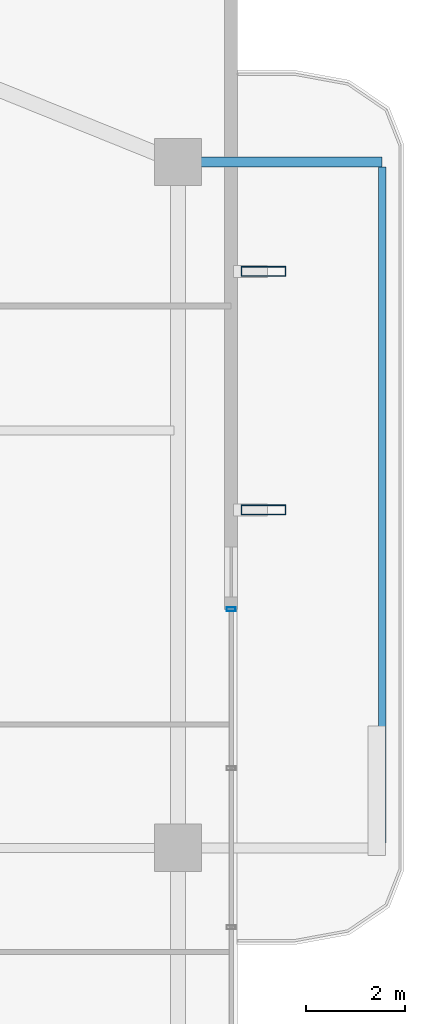
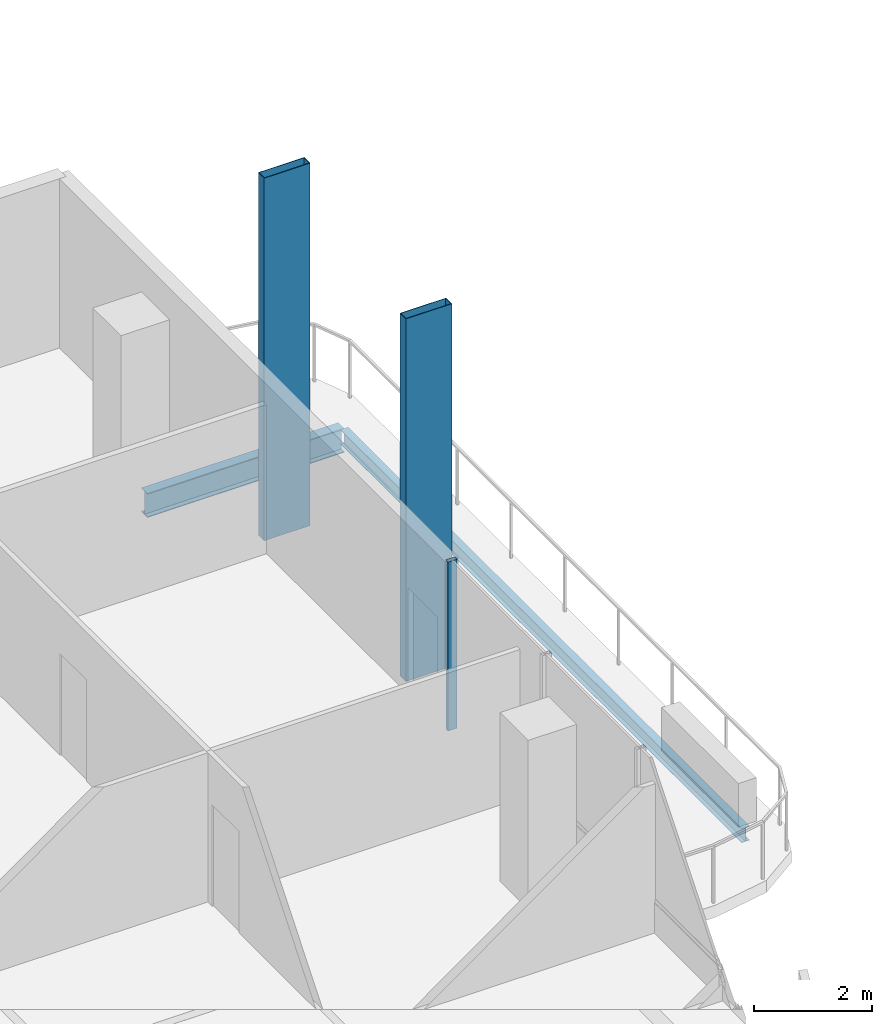
# One storey, part 15 of 25: 3 members, 2 beams, 1 element without a shape of its own.
"""IFC4 building model written with IfcOpenShell, lengths in metres."""

from ifc_helpers import new_model, si_unit, direction, frame, origin, origin_2d, place, context, subcontext, project, spatial, hollow_rectangle, i_section, extrude, material, layer, layer_set, material_profile, profile_set, type_object, element, aggregate, save


model = new_model("IFC4")

# Units and contexts
model_context = context("Model", 3, precision=1e-05, world=origin(), true_north=direction((0.0, 1.0)))
body_context = subcontext(model_context, "Body", "Model", "MODEL_VIEW")
ifc_project = project(units=[si_unit("LENGTHUNIT", "METRE"), si_unit("AREAUNIT", "SQUARE_METRE"), si_unit("VOLUMEUNIT", "CUBIC_METRE"), si_unit("PLANEANGLEUNIT", "RADIAN"), si_unit("MASSUNIT", "GRAM", prefix="KILO")], contexts=[model_context])

# Site, building, storey
site_placement = place(None, origin())
site = spatial("IfcSite", under=ifc_project, at=site_placement, CompositionType="ELEMENT")
building_placement = place(site_placement, origin())
building = spatial("IfcBuilding", under=site, at=building_placement, Name="Belovzor Exchange Tower", CompositionType="ELEMENT")
storey_placement = place(building_placement, frame((0.0, 0.0, 250.35009765625)))
storey = spatial("IfcBuildingStorey", under=building, at=storey_placement, Name="L62", CompositionType="ELEMENT", Elevation=250.35009765625)

# Beams
ifc_material_1 = material(Name="Steel S355", Category="steel")
ifc_material_profile_1 = material_profile(ifc_material_1, i_section(OverallWidth=0.199951171875, OverallDepth=0.5, WebThickness=0.01025390625, FlangeThickness=0.01611328125, at=origin_2d()))
ifc_profile_set_1 = profile_set([ifc_material_profile_1], Name="Steel S355")
beam_type_1 = type_object("IfcBeamType", Name="Planted Balcony Cantilever Beam IPE 500", PredefinedType="BEAM", material=ifc_profile_set_1)
beam_1_placement = place(storey_placement, frame((52.760986328125, 42.60009765625, -0.5), z_axis=(1.0, 0.0, 0.0), x_axis=(0.0, 1.0, 0.0)))
element("IfcBeam", 1, at=beam_1_placement, inside=storey, type_object=beam_type_1, Name="BC-500 Planted Balcony Cantilever Beam IPE 500", PredefinedType="BEAM", context=body_context, shape_type="SweptSolid", body=[
    extrude(i_section(OverallWidth=0.199951171875, OverallDepth=0.5, WebThickness=0.01025390625, FlangeThickness=0.01611328125, at=origin_2d()), origin(), (0.0, 0.0, 1.0), 3.85009765625),
])
ifc_material_2 = material(Name="Steel S355", Category="steel")
ifc_material_profile_2 = material_profile(ifc_material_2, i_section(OverallWidth=0.14990234375, OverallDepth=0.300048828125, WebThickness=0.007080078125, FlangeThickness=0.0107421875, at=origin_2d()))
ifc_profile_set_2 = profile_set([ifc_material_profile_2], Name="Steel S355")
beam_type_2 = type_object("IfcBeamType", Name="Planted Balcony Fascia Edge Beam IPE 300", PredefinedType="BEAM", material=ifc_profile_set_2)
beam_2_placement = place(storey_placement, frame((56.611083984375, 28.89990234375, -0.400146484375), z_axis=(0.0, 1.0, 0.0), x_axis=(-1.0, 0.0, 0.0)))
element("IfcBeam", 2, at=beam_2_placement, inside=storey, type_object=beam_type_2, Name="BC-300 Planted Balcony Fascia Edge Beam IPE 300", PredefinedType="BEAM", context=body_context, shape_type="SweptSolid", body=[
    extrude(i_section(OverallWidth=0.14990234375, OverallDepth=0.300048828125, WebThickness=0.007080078125, FlangeThickness=0.0107421875, at=origin_2d()), origin(), (0.0, 0.0, 1.0), 13.60009765625),
])

# Members
ifc_material_3 = material(Name="Extruded Architectural Terracotta on Steel S355 Carrier", Category="masonry")
ifc_material_profile_3 = material_profile(ifc_material_3, hollow_rectangle(XDim=0.199951171875, YDim=0.89990234375, WallThickness=0.011962890625, at=origin_2d()))
ifc_profile_set_3 = profile_set([ifc_material_profile_3], Name="Extruded Architectural Terracotta on Steel S355 Carrier")
member_type_1 = type_object("IfcMemberType", Name="Sweeping Terracotta Baguette Fin Assembly 950", PredefinedType="USERDEFINED", material=ifc_profile_set_3)
for number, where, z_axis, x_axis, name in (
    (3, (54.22509765625, 35.60009765625, -0.25), (0.0, 0.0, 1.0), (0.0, 1.0, 0.0), "FIN-TC095 Terracotta Facade Fin L62 E3"),
    (4, (54.22509765625, 40.39990234375, -0.25), (0.0, 0.0, 1.0), (0.0, 1.0, 0.0), "FIN-TC095 Terracotta Facade Fin L62 E4"),
):
    element("IfcMember", number, at=place(storey_placement, frame(where, z_axis=z_axis, x_axis=x_axis)), inside=storey, type_object=member_type_1, Name=name, ObjectType="FIN", PredefinedType="USERDEFINED", context=body_context, shape_type="SweptSolid", body=[
        extrude(hollow_rectangle(XDim=0.199951171875, YDim=0.89990234375, WallThickness=0.011962890625, at=origin_2d()), origin(), (0.0, 0.0, 1.0), 7.5),
    ])

# Curtain wall, member
ifc_material_4 = material(Name="Anodised Aluminium Framing", Category="aluminium")
ifc_layer = layer(ifc_material_4, 0.179931640625)
ifc_layer_set = layer_set([ifc_layer], Name="Anodised Aluminium Framing")
curtain_wall_type = type_object("IfcCurtainWallType", Name="Recessed Loggia Low-Iron Triple-Glazed Curtain Wall", PredefinedType="NOTDEFINED", material=ifc_layer_set)
curtain_wall_placement = place(storey_placement, origin())
curtain_wall = element("IfcCurtainWall", 5, at=curtain_wall_placement, inside=storey, type_object=curtain_wall_type, Name="CW3 Recessed Loggia Low-Iron Triple-Glazed Curtain Wall L62", PredefinedType="NOTDEFINED")
ifc_material_5 = material(Name="Steel S355", Category="steel")
ifc_material_profile_4 = material_profile(ifc_material_5, hollow_rectangle(XDim=0.074951171875, YDim=0.179931640625, WallThickness=0.0048828125, at=origin_2d()))
ifc_profile_set_4 = profile_set([ifc_material_profile_4], Name="Steel S355")
member_type_2 = type_object("IfcMemberType", Name="Thermally Broken Curtain Wall Mullion 180x75", PredefinedType="MULLION", material=ifc_profile_set_4)
member_placement = place(storey_placement, frame((53.570068359375, 33.60009765625, 0.0), z_axis=(0.0, 0.0, 1.0), x_axis=(0.0, -1.0, 0.0)))
member = element("IfcMember", 6, at=member_placement, type_object=member_type_2, Name="CW-M180 Curtain Wall Mullion 1", PredefinedType="MULLION", context=body_context, shape_type="SweptSolid", body=[
    extrude(hollow_rectangle(XDim=0.074951171875, YDim=0.179931640625, WallThickness=0.0048828125, at=origin_2d()), origin(), (0.0, 0.0, 1.0), 3.5),
])
aggregate(curtain_wall, [member])

save(model, "model.ifc")
